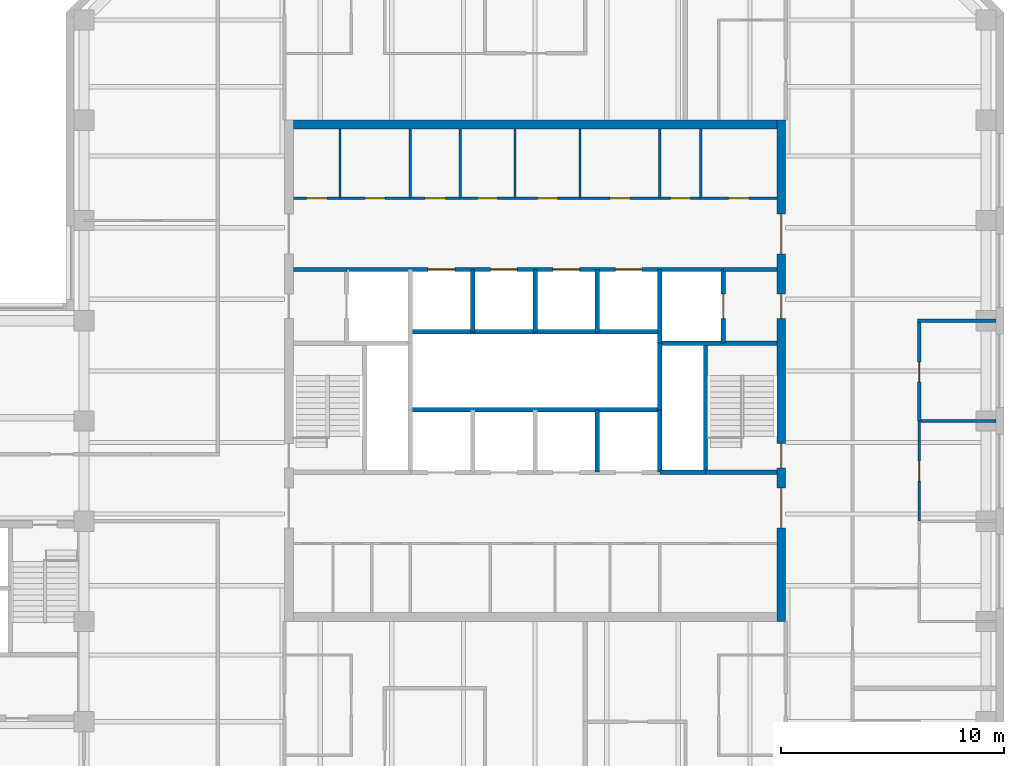
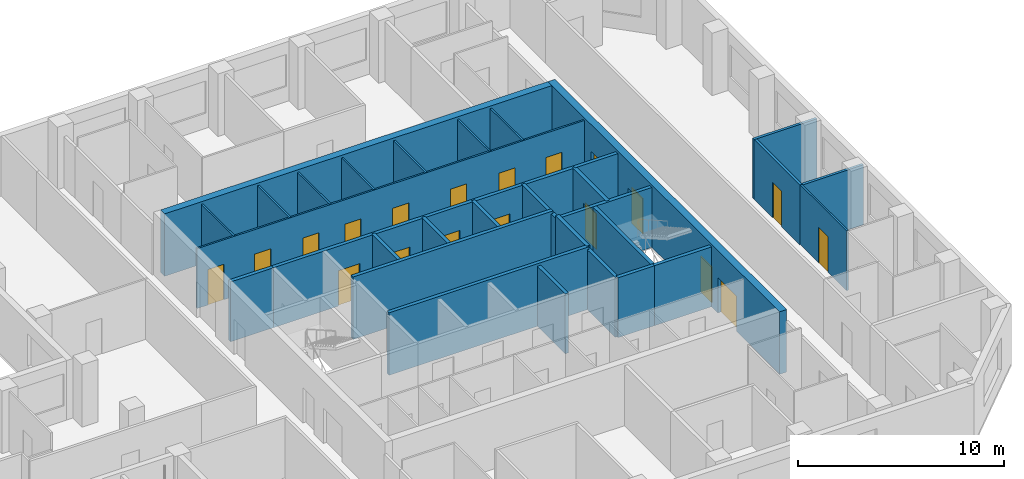
# One storey, part 6 of 9: 31 walls, 19 doors, 19 openings.
"""IFC4 building model written with IfcOpenShell, lengths in metres."""

from ifc_helpers import new_model, si_unit, direction, frame, frame_2d, origin, place, context, subcontext, project, spatial, rectangle, extrude, material, layer, layer_set, type_object, element, fill, save


model = new_model("IFC4")

# Units and contexts
model_context = context("Model", 3, precision=1e-05, world=origin(), true_north=direction((0.0, 1.0)))
body_context = subcontext(model_context, "Body", "Model", "MODEL_VIEW")
ifc_project = project(units=[si_unit("LENGTHUNIT", "METRE"), si_unit("AREAUNIT", "SQUARE_METRE"), si_unit("VOLUMEUNIT", "CUBIC_METRE"), si_unit("PLANEANGLEUNIT", "RADIAN"), si_unit("MASSUNIT", "GRAM", prefix="KILO")], contexts=[model_context])

# Site, building, storey
site_placement = place(None, origin())
site = spatial("IfcSite", under=ifc_project, at=site_placement, CompositionType="ELEMENT")
building_placement = place(site_placement, origin())
building = spatial("IfcBuilding", under=site, at=building_placement, Name="Quoin Convention Tower", CompositionType="ELEMENT")
storey_placement = place(building_placement, frame((0.0, 0.0, 166.199951171875)))
storey = spatial("IfcBuildingStorey", under=building, at=storey_placement, Name="L43", CompositionType="ELEMENT", Elevation=166.199951171875)

# Walls
ifc_material_1 = material(Name="Plasterboard")
ifc_layer_1 = layer(ifc_material_1, 0.012451171875, Name="Finish")
ifc_material_2 = material(Name="Steel stud framing", Category="steel")
ifc_layer_2 = layer(ifc_material_2, 0.125, Name="Structure")
ifc_layer_3 = layer(ifc_material_1, 0.012451171875, Name="Finish")
ifc_layer_set_1 = layer_set([ifc_layer_1, ifc_layer_2, ifc_layer_3], Name="Steel stud framing")
wall_type_1 = type_object("IfcWallType", Name="Acoustic partition 150", PredefinedType="PARTITIONING", material=ifc_layer_set_1)
wall_1_placement = place(storey_placement, frame((73.574951171875, 58.5, 0.0), z_axis=(0.0, 0.0, 1.0), x_axis=(1.0, 0.0, 0.0)))
element("IfcWall", 1, at=wall_1_placement, inside=storey, type_object=wall_type_1, Name="pw-L43-022", PredefinedType="PARTITIONING", context=body_context, shape_type="SweptSolid", body=[
    extrude(rectangle(XDim=3.375, YDim=0.14990234375, at=frame_2d((1.6875, 0.0))), origin(), (0.0, 0.0, 1.0), 3.550048828125),
])
wall_2_placement = place(storey_placement, frame((73.425048828125, 63.0, 0.0), z_axis=(0.0, 0.0, 1.0), x_axis=(1.0, 0.0, 0.0)))
element("IfcWall", 2, at=wall_2_placement, inside=storey, type_object=wall_type_1, Name="pw-L43-025", PredefinedType="PARTITIONING", context=body_context, shape_type="SweptSolid", body=[
    extrude(rectangle(XDim=3.52490234375, YDim=0.14990234375, at=frame_2d((1.762451171875, 0.0))), origin(), (0.0, 0.0, 1.0), 3.550048828125),
])

# Wall, opening, door
wall_3_placement = place(storey_placement, frame((73.5, 58.5, 0.0), z_axis=(0.0, 0.0, 1.0), x_axis=(0.0, 1.0, 0.0)))
wall_3 = element("IfcWall", 3, at=wall_3_placement, inside=storey, type_object=wall_type_1, Name="pw-L43-070", PredefinedType="PARTITIONING", context=body_context, shape_type="SweptSolid", body=[
    extrude(rectangle(XDim=4.425048828125, YDim=0.14990234375, at=frame_2d((2.21240234375, 0.0))), origin(), (0.0, 0.0, 1.0), 3.550048828125),
])
opening_1_placement = place(wall_3_placement, frame((1.75, 0.0, 0.0)))
opening_1 = element("IfcOpeningElement", 4, at=opening_1_placement, cuts=wall_3, Name="Opening DOH3-19", PredefinedType="OPENING", context=body_context, shape_type="SweptSolid", body=[
    extrude(rectangle(XDim=0.89990234375, YDim=2.10009765625, at=frame_2d((0.449951171875, 1.050048828125))), frame((0.0, 0.0849609375, 0.0), z_axis=(0.0, -1.0, 0.0), x_axis=(1.0, 0.0, 0.0)), (0.0, 0.0, 1.0), 0.169921875),
])
ifc_material_3 = material(Name="Steel door leaf", Category="steel")
door_type_1 = type_object("IfcDoorType", Name="Office door 900 x 2100", OperationType="SINGLE_SWING_RIGHT", PredefinedType="DOOR", material=ifc_material_3)
door_1_placement = place(opening_1_placement, origin())
door_1 = element("IfcDoor", 5, at=door_1_placement, inside=storey, type_object=door_type_1, Name="dr-L43-28", OperationType="SINGLE_SWING_RIGHT", OverallHeight=2.10009765625, OverallWidth=0.89990234375, PredefinedType="DOOR", context=body_context, shape_type="SweptSolid", body=[
    extrude(rectangle(XDim=0.89990234375, YDim=2.10009765625, at=frame_2d((0.449951171875, 1.050048828125))), frame((0.0, 0.02490234375, 0.0), z_axis=(0.0, -1.0, 0.0), x_axis=(1.0, 0.0, 0.0)), (0.0, 0.0, 1.0), 0.050048828125),
])
fill(opening_1, door_1)

# Wall, openings, doors
ifc_layer_4 = layer(ifc_material_1, 0.012451171875, Name="Finish")
ifc_layer_5 = layer(ifc_material_2, 0.074951171875, Name="Structure")
ifc_layer_6 = layer(ifc_material_1, 0.012451171875, Name="Finish")
ifc_layer_set_2 = layer_set([ifc_layer_4, ifc_layer_5, ifc_layer_6], Name="Steel stud framing")
wall_type_2 = type_object("IfcWallType", Name="Core partition wall", PredefinedType="PARTITIONING", material=ifc_layer_set_2)
wall_4_placement = place(storey_placement, frame((45.39990234375, 68.5, 0.0), z_axis=(0.0, 0.0, 1.0), x_axis=(1.0, 0.0, 0.0)))
wall_4 = element("IfcWall", 6, at=wall_4_placement, inside=storey, type_object=wall_type_2, Name="cr-C1-L43-h19000_400", PredefinedType="PARTITIONING", context=body_context, shape_type="SweptSolid", body=[
    extrude(rectangle(XDim=21.7001953125, YDim=0.10009765625, at=frame_2d((10.85009765625, 0.0))), origin(), (0.0, 0.0, 1.0), 3.550048828125),
])
opening_2_placement = place(wall_4_placement, frame((19.543701171875, 0.0, 0.0)))
opening_2 = element("IfcOpeningElement", 7, at=opening_2_placement, cuts=wall_4, Name="Opening DCV3-14", PredefinedType="OPENING", context=body_context, shape_type="SweptSolid", body=[
    extrude(rectangle(XDim=0.89990234375, YDim=2.10009765625, at=frame_2d((0.449951171875, 1.050048828125))), frame((0.0, 0.06005859375, 0.0), z_axis=(0.0, -1.0, 0.0), x_axis=(1.0, 0.0, 0.0)), (0.0, 0.0, 1.0), 0.1201171875),
])
opening_3_placement = place(wall_4_placement, frame((16.918701171875, 0.0, 0.0)))
opening_3 = element("IfcOpeningElement", 8, at=opening_3_placement, cuts=wall_4, Name="Opening DCV3-13", PredefinedType="OPENING", context=body_context, shape_type="SweptSolid", body=[
    extrude(rectangle(XDim=0.89990234375, YDim=2.10009765625, at=frame_2d((0.449951171875, 1.050048828125))), frame((0.0, 0.06005859375, 0.0), z_axis=(0.0, -1.0, 0.0), x_axis=(1.0, 0.0, 0.0)), (0.0, 0.0, 1.0), 0.1201171875),
])
opening_4_placement = place(wall_4_placement, frame((0.60009765625, 0.0, 0.0)))
opening_4 = element("IfcOpeningElement", 9, at=opening_4_placement, cuts=wall_4, Name="Opening DCV3-05", PredefinedType="OPENING", context=body_context, shape_type="SweptSolid", body=[
    extrude(rectangle(XDim=0.89990234375, YDim=2.10009765625, at=frame_2d((0.449951171875, 1.050048828125))), frame((0.0, 0.06005859375, 0.0), z_axis=(0.0, -1.0, 0.0), x_axis=(1.0, 0.0, 0.0)), (0.0, 0.0, 1.0), 0.1201171875),
])
opening_5_placement = place(wall_4_placement, frame((3.22509765625, 0.0, 0.0)))
opening_5 = element("IfcOpeningElement", 10, at=opening_5_placement, cuts=wall_4, Name="Opening DCV3-06", PredefinedType="OPENING", context=body_context, shape_type="SweptSolid", body=[
    extrude(rectangle(XDim=0.89990234375, YDim=2.10009765625, at=frame_2d((0.449951171875, 1.050048828125))), frame((0.0, 0.06005859375, 0.0), z_axis=(0.0, -1.0, 0.0), x_axis=(1.0, 0.0, 0.0)), (0.0, 0.0, 1.0), 0.1201171875),
])
opening_6_placement = place(wall_4_placement, frame((14.2080078125, 0.0, 0.0)))
opening_6 = element("IfcOpeningElement", 11, at=opening_6_placement, cuts=wall_4, Name="Opening DCV3-12", PredefinedType="OPENING", context=body_context, shape_type="SweptSolid", body=[
    extrude(rectangle(XDim=0.89990234375, YDim=2.10009765625, at=frame_2d((0.449951171875, 1.050048828125))), frame((0.0, 0.06005859375, 0.0), z_axis=(0.0, -1.0, 0.0), x_axis=(1.0, 0.0, 0.0)), (0.0, 0.0, 1.0), 0.1201171875),
])
opening_7_placement = place(wall_4_placement, frame((10.9599609375, 0.0, 0.0)))
opening_7 = element("IfcOpeningElement", 12, at=opening_7_placement, cuts=wall_4, Name="Opening DCV3-10", PredefinedType="OPENING", context=body_context, shape_type="SweptSolid", body=[
    extrude(rectangle(XDim=0.89990234375, YDim=2.10009765625, at=frame_2d((0.449951171875, 1.050048828125))), frame((0.0, 0.06005859375, 0.0), z_axis=(0.0, -1.0, 0.0), x_axis=(1.0, 0.0, 0.0)), (0.0, 0.0, 1.0), 0.1201171875),
])
opening_8_placement = place(wall_4_placement, frame((8.27197265625, 0.0, 0.0)))
opening_8 = element("IfcOpeningElement", 13, at=opening_8_placement, cuts=wall_4, Name="Opening DCV3-09", PredefinedType="OPENING", context=body_context, shape_type="SweptSolid", body=[
    extrude(rectangle(XDim=0.89990234375, YDim=2.10009765625, at=frame_2d((0.449951171875, 1.050048828125))), frame((0.0, 0.06005859375, 0.0), z_axis=(0.0, -1.0, 0.0), x_axis=(1.0, 0.0, 0.0)), (0.0, 0.0, 1.0), 0.1201171875),
])
opening_9_placement = place(wall_4_placement, frame((5.919921875, 0.0, 0.0)))
opening_9 = element("IfcOpeningElement", 14, at=opening_9_placement, cuts=wall_4, Name="Opening DCV3-07", PredefinedType="OPENING", context=body_context, shape_type="SweptSolid", body=[
    extrude(rectangle(XDim=0.89990234375, YDim=2.10009765625, at=frame_2d((0.449951171875, 1.050048828125))), frame((0.0, 0.06005859375, 0.0), z_axis=(0.0, -1.0, 0.0), x_axis=(1.0, 0.0, 0.0)), (0.0, 0.0, 1.0), 0.1201171875),
])
door_type_2 = type_object("IfcDoorType", Name="Core room door 900 x 2100", OperationType="SINGLE_SWING_LEFT", PredefinedType="DOOR", material=ifc_material_3)
door_2_placement = place(opening_2_placement, origin())
door_2 = element("IfcDoor", 15, at=door_2_placement, inside=storey, type_object=door_type_2, Name="cd-C1-L43-CNE0-lobB-CD4307", OperationType="SINGLE_SWING_LEFT", OverallHeight=2.10009765625, OverallWidth=0.89990234375, PredefinedType="DOOR", context=body_context, shape_type="SweptSolid", body=[
    extrude(rectangle(XDim=0.89990234375, YDim=2.10009765625, at=frame_2d((0.449951171875, 1.050048828125))), frame((0.0, 0.02490234375, 0.0), z_axis=(0.0, -1.0, 0.0), x_axis=(1.0, 0.0, 0.0)), (0.0, 0.0, 1.0), 0.050048828125),
])
fill(opening_2, door_2)
door_3_placement = place(opening_3_placement, origin())
door_3 = element("IfcDoor", 16, at=door_3_placement, inside=storey, type_object=door_type_2, Name="cd-C1-L43-CNE1-lobB-CD4308", OperationType="SINGLE_SWING_RIGHT", OverallHeight=2.10009765625, OverallWidth=0.89990234375, PredefinedType="DOOR", context=body_context, shape_type="SweptSolid", body=[
    extrude(rectangle(XDim=0.89990234375, YDim=2.10009765625, at=frame_2d((0.449951171875, 1.050048828125))), frame((0.0, 0.02490234375, 0.0), z_axis=(0.0, -1.0, 0.0), x_axis=(1.0, 0.0, 0.0)), (0.0, 0.0, 1.0), 0.050048828125),
])
fill(opening_3, door_3)
door_4_placement = place(opening_4_placement, origin())
door_4 = element("IfcDoor", 17, at=door_4_placement, inside=storey, type_object=door_type_2, Name="cd-C1-L43-CNW0-lobB-CD4309", OperationType="SINGLE_SWING_RIGHT", OverallHeight=2.10009765625, OverallWidth=0.89990234375, PredefinedType="DOOR", context=body_context, shape_type="SweptSolid", body=[
    extrude(rectangle(XDim=0.89990234375, YDim=2.10009765625, at=frame_2d((0.449951171875, 1.050048828125))), frame((0.0, 0.02490234375, 0.0), z_axis=(0.0, -1.0, 0.0), x_axis=(1.0, 0.0, 0.0)), (0.0, 0.0, 1.0), 0.050048828125),
])
fill(opening_4, door_4)
door_5_placement = place(opening_5_placement, origin())
door_5 = element("IfcDoor", 18, at=door_5_placement, inside=storey, type_object=door_type_2, Name="cd-C1-L43-CNW1-lobB-CD4310", OperationType="SINGLE_SWING_RIGHT", OverallHeight=2.10009765625, OverallWidth=0.89990234375, PredefinedType="DOOR", context=body_context, shape_type="SweptSolid", body=[
    extrude(rectangle(XDim=0.89990234375, YDim=2.10009765625, at=frame_2d((0.449951171875, 1.050048828125))), frame((0.0, 0.02490234375, 0.0), z_axis=(0.0, -1.0, 0.0), x_axis=(1.0, 0.0, 0.0)), (0.0, 0.0, 1.0), 0.050048828125),
])
fill(opening_5, door_5)
door_6_placement = place(opening_6_placement, origin())
door_6 = element("IfcDoor", 19, at=door_6_placement, inside=storey, type_object=door_type_2, Name="cd-C1-L43-F40-lobB-CD4319", OperationType="SINGLE_SWING_RIGHT", OverallHeight=2.10009765625, OverallWidth=0.89990234375, PredefinedType="DOOR", context=body_context, shape_type="SweptSolid", body=[
    extrude(rectangle(XDim=0.89990234375, YDim=2.10009765625, at=frame_2d((0.449951171875, 1.050048828125))), frame((0.0, 0.02490234375, 0.0), z_axis=(0.0, -1.0, 0.0), x_axis=(1.0, 0.0, 0.0)), (0.0, 0.0, 1.0), 0.050048828125),
])
fill(opening_6, door_6)
door_7_placement = place(opening_7_placement, origin())
door_7 = element("IfcDoor", 20, at=door_7_placement, inside=storey, type_object=door_type_2, Name="cd-C1-L43-F41-lobB-CD4320", OperationType="SINGLE_SWING_RIGHT", OverallHeight=2.10009765625, OverallWidth=0.89990234375, PredefinedType="DOOR", context=body_context, shape_type="SweptSolid", body=[
    extrude(rectangle(XDim=0.89990234375, YDim=2.10009765625, at=frame_2d((0.449951171875, 1.050048828125))), frame((0.0, 0.02490234375, 0.0), z_axis=(0.0, -1.0, 0.0), x_axis=(1.0, 0.0, 0.0)), (0.0, 0.0, 1.0), 0.050048828125),
])
fill(opening_7, door_7)
door_8_placement = place(opening_8_placement, origin())
door_8 = element("IfcDoor", 21, at=door_8_placement, inside=storey, type_object=door_type_2, Name="cd-C1-L43-F42-lobB-CD4321", OperationType="SINGLE_SWING_RIGHT", OverallHeight=2.10009765625, OverallWidth=0.89990234375, PredefinedType="DOOR", context=body_context, shape_type="SweptSolid", body=[
    extrude(rectangle(XDim=0.89990234375, YDim=2.10009765625, at=frame_2d((0.449951171875, 1.050048828125))), frame((0.0, 0.02490234375, 0.0), z_axis=(0.0, -1.0, 0.0), x_axis=(1.0, 0.0, 0.0)), (0.0, 0.0, 1.0), 0.050048828125),
])
fill(opening_8, door_8)
door_9_placement = place(opening_9_placement, origin())
door_9 = element("IfcDoor", 22, at=door_9_placement, inside=storey, type_object=door_type_2, Name="cd-C1-L43-F43-lobB-CD4322", OperationType="SINGLE_SWING_RIGHT", OverallHeight=2.10009765625, OverallWidth=0.89990234375, PredefinedType="DOOR", context=body_context, shape_type="SweptSolid", body=[
    extrude(rectangle(XDim=0.89990234375, YDim=2.10009765625, at=frame_2d((0.449951171875, 1.050048828125))), frame((0.0, 0.02490234375, 0.0), z_axis=(0.0, -1.0, 0.0), x_axis=(1.0, 0.0, 0.0)), (0.0, 0.0, 1.0), 0.050048828125),
])
fill(opening_9, door_9)

# Walls
for number, where, z_axis, x_axis, name in (
    (23, (47.5, 68.5, 0.0), (0.0, 0.0, 1.0), (0.0, 1.0, 0.0), "cr-C1-L43-v2500_19000"),
    (24, (50.64990234375, 68.5, 0.0), (0.0, 0.0, 1.0), (0.0, 1.0, 0.0), "cr-C1-L43-v5650_19000"),
    (25, (52.889892578125, 68.5, 0.0), (0.0, 0.0, 1.0), (0.0, 1.0, 0.0), "cr-C1-L43-v7890_19000"),
    (26, (55.35400390625, 68.5, 0.0), (0.0, 0.0, 1.0), (0.0, 1.0, 0.0), "cr-C1-L43-v10354_19000"),
    (27, (58.26611328125, 68.5, 0.0), (0.0, 0.0, 1.0), (0.0, 1.0, 0.0), "cr-C1-L43-v13266_19000"),
    (28, (61.85009765625, 68.5, 0.0), (0.0, 0.0, 1.0), (0.0, 1.0, 0.0), "cr-C1-L43-v16850_19000"),
    (29, (63.6875, 68.5, 0.0), (0.0, 0.0, 1.0), (0.0, 1.0, 0.0), "cr-C1-L43-v18688_19000"),
):
    element("IfcWall", number, at=place(storey_placement, frame(where, z_axis=z_axis, x_axis=x_axis)), inside=storey, type_object=wall_type_2, Name=name, PredefinedType="PARTITIONING", context=body_context, shape_type="SweptSolid", body=[
        extrude(rectangle(XDim=3.10009765625, YDim=0.10009765625, at=frame_2d((1.550048828125, 0.0))), origin(), (0.0, 0.0, 1.0), 3.550048828125),
    ])
ifc_material_4 = material(Name="Concrete C50", Category="concrete")
ifc_layer_7 = layer(ifc_material_4, 0.199951171875)
ifc_layer_set_3 = layer_set([ifc_layer_7], Name="Concrete C50")
wall_type_3 = type_object("IfcWallType", Name="Core shaft wall", PredefinedType="SOLIDWALL", material=ifc_layer_set_3)
wall_5_placement = place(storey_placement, frame((61.85009765625, 56.199951171875, 0.0), z_axis=(0.0, 0.0, 1.0), x_axis=(1.0, 0.0, 0.0)))
element("IfcWall", 30, at=wall_5_placement, inside=storey, type_object=wall_type_3, Name="cr-C1-L43-h6700_16850", PredefinedType="SOLIDWALL", context=body_context, shape_type="SweptSolid", body=[
    extrude(rectangle(XDim=2.0498046875, YDim=0.199951171875, at=frame_2d((1.02490234375, 0.0))), origin(), (0.0, 0.0, 1.0), 3.550048828125),
])
wall_6_placement = place(storey_placement, frame((63.89990234375, 56.199951171875, 0.0), z_axis=(0.0, 0.0, 1.0), x_axis=(1.0, 0.0, 0.0)))
element("IfcWall", 31, at=wall_6_placement, inside=storey, type_object=wall_type_3, Name="cr-C1-L43-h6700_18900", PredefinedType="SOLIDWALL", context=body_context, shape_type="SweptSolid", body=[
    extrude(rectangle(XDim=3.2001953125, YDim=0.199951171875, at=frame_2d((1.60009765625, 0.0))), origin(), (0.0, 0.0, 1.0), 3.550048828125),
])
wall_7_placement = place(storey_placement, frame((61.85009765625, 62.0, 0.0), z_axis=(0.0, 0.0, 1.0), x_axis=(1.0, 0.0, 0.0)))
element("IfcWall", 32, at=wall_7_placement, inside=storey, type_object=wall_type_3, Name="cr-C1-L43-h12500_16850", PredefinedType="SOLIDWALL", context=body_context, shape_type="SweptSolid", body=[
    extrude(rectangle(XDim=5.25, YDim=0.199951171875, at=frame_2d((2.625, 0.0))), origin(), (0.0, 0.0, 1.0), 3.550048828125),
])
for number, where, z_axis, x_axis, name in (
    (33, (45.39990234375, 65.300048828125, 0.0), (0.0, 0.0, 1.0), (1.0, 0.0, 0.0), "cr-C1-L43-h15800_400"),
    (34, (64.699951171875, 65.300048828125, 0.0), (0.0, 0.0, 1.0), (1.0, 0.0, 0.0), "cr-C1-L43-h15800_19700"),
):
    element("IfcWall", number, at=place(storey_placement, frame(where, z_axis=z_axis, x_axis=x_axis)), inside=storey, type_object=wall_type_3, Name=name, PredefinedType="SOLIDWALL", context=body_context, shape_type="SweptSolid", body=[
        extrude(rectangle(XDim=2.400146484375, YDim=0.199951171875, at=frame_2d((1.2001953125, 0.0))), origin(), (0.0, 0.0, 1.0), 3.550048828125),
    ])

# Wall, openings, doors
wall_8_placement = place(storey_placement, frame((47.800048828125, 65.300048828125, 0.0), z_axis=(0.0, 0.0, 1.0), x_axis=(1.0, 0.0, 0.0)))
wall_8 = element("IfcWall", 35, at=wall_8_placement, inside=storey, type_object=wall_type_3, Name="cr-C1-L43-h15800_2800", PredefinedType="SOLIDWALL", context=body_context, shape_type="SweptSolid", body=[
    extrude(rectangle(XDim=16.89990234375, YDim=0.199951171875, at=frame_2d((8.449951171875, 0.0))), origin(), (0.0, 0.0, 1.0), 3.550048828125),
])
opening_10_placement = place(wall_8_placement, frame((3.64990234375, 0.0, 0.0)))
opening_10 = element("IfcOpeningElement", 36, at=opening_10_placement, cuts=wall_8, Name="Opening LDH5", PredefinedType="OPENING", context=body_context, shape_type="SweptSolid", body=[
    extrude(rectangle(XDim=1.199951171875, YDim=2.10009765625, at=frame_2d((0.60009765625, 1.050048828125))), frame((0.0, 0.10986328125, 0.0), z_axis=(0.0, -1.0, 0.0), x_axis=(1.0, 0.0, 0.0)), (0.0, 0.0, 1.0), 0.219970703125),
])
opening_11_placement = place(wall_8_placement, frame((6.449951171875, 0.0, 0.0)))
opening_11 = element("IfcOpeningElement", 37, at=opening_11_placement, cuts=wall_8, Name="Opening LDH6", PredefinedType="OPENING", context=body_context, shape_type="SweptSolid", body=[
    extrude(rectangle(XDim=1.199951171875, YDim=2.10009765625, at=frame_2d((0.60009765625, 1.050048828125))), frame((0.0, 0.10986328125, 0.0), z_axis=(0.0, -1.0, 0.0), x_axis=(1.0, 0.0, 0.0)), (0.0, 0.0, 1.0), 0.219970703125),
])
opening_12_placement = place(wall_8_placement, frame((9.25, 0.0, 0.0)))
opening_12 = element("IfcOpeningElement", 38, at=opening_12_placement, cuts=wall_8, Name="Opening LDH7", PredefinedType="OPENING", context=body_context, shape_type="SweptSolid", body=[
    extrude(rectangle(XDim=1.199951171875, YDim=2.10009765625, at=frame_2d((0.60009765625, 1.050048828125))), frame((0.0, 0.10986328125, 0.0), z_axis=(0.0, -1.0, 0.0), x_axis=(1.0, 0.0, 0.0)), (0.0, 0.0, 1.0), 0.219970703125),
])
opening_13_placement = place(wall_8_placement, frame((12.050048828125, 0.0, 0.0)))
opening_13 = element("IfcOpeningElement", 39, at=opening_13_placement, cuts=wall_8, Name="Opening LDH8", PredefinedType="OPENING", context=body_context, shape_type="SweptSolid", body=[
    extrude(rectangle(XDim=1.199951171875, YDim=2.10009765625, at=frame_2d((0.60009765625, 1.050048828125))), frame((0.0, 0.10986328125, 0.0), z_axis=(0.0, -1.0, 0.0), x_axis=(1.0, 0.0, 0.0)), (0.0, 0.0, 1.0), 0.219970703125),
])
door_type_3 = type_object("IfcDoorType", Name="Lift landing door 1200 x 2100", OperationType="DOUBLE_DOOR_SLIDING", PredefinedType="DOOR", material=ifc_material_3)
door_10_placement = place(opening_10_placement, origin())
door_10 = element("IfcDoor", 40, at=door_10_placement, inside=storey, type_object=door_type_3, Name="cd-C1-L43-R30-lobB-LDH5", OperationType="DOUBLE_DOOR_SLIDING", OverallHeight=2.10009765625, OverallWidth=1.199951171875, PredefinedType="DOOR", context=body_context, shape_type="SweptSolid", body=[
    extrude(rectangle(XDim=1.199951171875, YDim=2.10009765625, at=frame_2d((0.60009765625, 1.050048828125))), frame((0.0, 0.02490234375, 0.0), z_axis=(0.0, -1.0, 0.0), x_axis=(1.0, 0.0, 0.0)), (0.0, 0.0, 1.0), 0.050048828125),
])
fill(opening_10, door_10)
door_11_placement = place(opening_11_placement, origin())
door_11 = element("IfcDoor", 41, at=door_11_placement, inside=storey, type_object=door_type_3, Name="cd-C1-L43-R31-lobB-LDH6", OperationType="DOUBLE_DOOR_SLIDING", OverallHeight=2.10009765625, OverallWidth=1.199951171875, PredefinedType="DOOR", context=body_context, shape_type="SweptSolid", body=[
    extrude(rectangle(XDim=1.199951171875, YDim=2.10009765625, at=frame_2d((0.60009765625, 1.050048828125))), frame((0.0, 0.02490234375, 0.0), z_axis=(0.0, -1.0, 0.0), x_axis=(1.0, 0.0, 0.0)), (0.0, 0.0, 1.0), 0.050048828125),
])
fill(opening_11, door_11)
door_12_placement = place(opening_12_placement, origin())
door_12 = element("IfcDoor", 42, at=door_12_placement, inside=storey, type_object=door_type_3, Name="cd-C1-L43-R32-lobB-LDH7", OperationType="DOUBLE_DOOR_SLIDING", OverallHeight=2.10009765625, OverallWidth=1.199951171875, PredefinedType="DOOR", context=body_context, shape_type="SweptSolid", body=[
    extrude(rectangle(XDim=1.199951171875, YDim=2.10009765625, at=frame_2d((0.60009765625, 1.050048828125))), frame((0.0, 0.02490234375, 0.0), z_axis=(0.0, -1.0, 0.0), x_axis=(1.0, 0.0, 0.0)), (0.0, 0.0, 1.0), 0.050048828125),
])
fill(opening_12, door_12)
door_13_placement = place(opening_13_placement, origin())
door_13 = element("IfcDoor", 43, at=door_13_placement, inside=storey, type_object=door_type_3, Name="cd-C1-L43-R33-lobB-LDH8", OperationType="DOUBLE_DOOR_SLIDING", OverallHeight=2.10009765625, OverallWidth=1.199951171875, PredefinedType="DOOR", context=body_context, shape_type="SweptSolid", body=[
    extrude(rectangle(XDim=1.199951171875, YDim=2.10009765625, at=frame_2d((0.60009765625, 1.050048828125))), frame((0.0, 0.02490234375, 0.0), z_axis=(0.0, -1.0, 0.0), x_axis=(1.0, 0.0, 0.0)), (0.0, 0.0, 1.0), 0.050048828125),
])
fill(opening_13, door_13)

# Walls
for number, where, z_axis, x_axis, name in (
    (44, (53.449951171875, 62.5, 0.0), (0.0, 0.0, 1.0), (0.0, 1.0, 0.0), "cr-C1-L43-v8450_13000"),
    (45, (56.25, 62.5, 0.0), (0.0, 0.0, 1.0), (0.0, 1.0, 0.0), "cr-C1-L43-v11250_13000"),
    (46, (59.050048828125, 56.199951171875, 0.0), (0.0, 0.0, 1.0), (0.0, 1.0, 0.0), "cr-C1-L43-v14050_6700"),
    (47, (59.050048828125, 62.5, 0.0), (0.0, 0.0, 1.0), (0.0, 1.0, 0.0), "cr-C1-L43-v14050_13000"),
    (48, (61.85009765625, 56.199951171875, 0.0), (0.0, 0.0, 1.0), (0.0, 1.0, 0.0), "cr-C1-L43-v16850_6700"),
):
    element("IfcWall", number, at=place(storey_placement, frame(where, z_axis=z_axis, x_axis=x_axis)), inside=storey, type_object=wall_type_3, Name=name, PredefinedType="SOLIDWALL", context=body_context, shape_type="SweptSolid", body=[
        extrude(rectangle(XDim=2.800048828125, YDim=0.199951171875, at=frame_2d((1.39990234375, 0.0))), origin(), (0.0, 0.0, 1.0), 3.550048828125),
    ])
wall_9_placement = place(storey_placement, frame((61.85009765625, 62.0, 0.0), z_axis=(0.0, 0.0, 1.0), x_axis=(0.0, 1.0, 0.0)))
element("IfcWall", 49, at=wall_9_placement, inside=storey, type_object=wall_type_3, Name="cr-C1-L43-v16850_12500", PredefinedType="SOLIDWALL", context=body_context, shape_type="SweptSolid", body=[
    extrude(rectangle(XDim=3.300048828125, YDim=0.199951171875, at=frame_2d((1.64990234375, 0.0))), origin(), (0.0, 0.0, 1.0), 3.550048828125),
])
wall_10_placement = place(storey_placement, frame((63.89990234375, 56.199951171875, 0.0), z_axis=(0.0, 0.0, 1.0), x_axis=(0.0, 1.0, 0.0)))
element("IfcWall", 50, at=wall_10_placement, inside=storey, type_object=wall_type_3, Name="cr-C1-L43-v18900_6700", PredefinedType="SOLIDWALL", context=body_context, shape_type="SweptSolid", body=[
    extrude(rectangle(XDim=5.800048828125, YDim=0.199951171875, at=frame_2d((2.89990234375, 0.0))), origin(), (0.0, 0.0, 1.0), 3.550048828125),
])

# Wall, opening, door
wall_11_placement = place(storey_placement, frame((64.699951171875, 62.0, 0.0), z_axis=(0.0, 0.0, 1.0), x_axis=(0.0, 1.0, 0.0)))
wall_11 = element("IfcWall", 51, at=wall_11_placement, inside=storey, type_object=wall_type_3, Name="cr-C1-L43-v19700_12500", PredefinedType="SOLIDWALL", context=body_context, shape_type="SweptSolid", body=[
    extrude(rectangle(XDim=3.300048828125, YDim=0.199951171875, at=frame_2d((1.64990234375, 0.0))), origin(), (0.0, 0.0, 1.0), 3.550048828125),
])
opening_14_placement = place(wall_11_placement, frame((1.10009765625, 0.0, 0.0)))
opening_14 = element("IfcOpeningElement", 52, at=opening_14_placement, cuts=wall_11, Name="Opening LDFL2", PredefinedType="OPENING", context=body_context, shape_type="SweptSolid", body=[
    extrude(rectangle(XDim=1.10009765625, YDim=2.10009765625, at=frame_2d((0.550048828125, 1.050048828125))), frame((0.0, 0.10986328125, 0.0), z_axis=(0.0, -1.0, 0.0), x_axis=(1.0, 0.0, 0.0)), (0.0, 0.0, 1.0), 0.219970703125),
])
door_type_4 = type_object("IfcDoorType", Name="Lift landing door 1100 x 2100", OperationType="DOUBLE_DOOR_SLIDING", PredefinedType="DOOR", material=ifc_material_3)
door_14_placement = place(opening_14_placement, origin())
door_14 = element("IfcDoor", 53, at=door_14_placement, inside=storey, type_object=door_type_4, Name="cd-C1-L43-FLE-FFE-LDFL2", OperationType="DOUBLE_DOOR_SLIDING", OverallHeight=2.10009765625, OverallWidth=1.10009765625, PredefinedType="DOOR", context=body_context, shape_type="SweptSolid", body=[
    extrude(rectangle(XDim=1.10009765625, YDim=2.10009765625, at=frame_2d((0.550048828125, 1.050048828125))), frame((0.0, 0.02490234375, 0.0), z_axis=(0.0, -1.0, 0.0), x_axis=(1.0, 0.0, 0.0)), (0.0, 0.0, 1.0), 0.050048828125),
])
fill(opening_14, door_14)

# Walls
ifc_layer_8 = layer(ifc_material_4, 0.199951171875)
ifc_layer_set_4 = layer_set([ifc_layer_8], Name="Concrete C50")
wall_type_4 = type_object("IfcWallType", Name="Core shaft wall to the floor level over", PredefinedType="SOLIDWALL", material=ifc_layer_set_4)
for number, where, z_axis, x_axis, name in (
    (54, (50.64990234375, 59.0, 0.0), (0.0, 0.0, 1.0), (1.0, 0.0, 0.0), "cr-C1-L43-h9500_5650"),
    (55, (50.64990234375, 62.5, 0.0), (0.0, 0.0, 1.0), (1.0, 0.0, 0.0), "cr-C1-L43-h13000_5650"),
):
    element("IfcWall", number, at=place(storey_placement, frame(where, z_axis=z_axis, x_axis=x_axis)), inside=storey, type_object=wall_type_4, Name=name, PredefinedType="SOLIDWALL", context=body_context, shape_type="SweptSolid", body=[
        extrude(rectangle(XDim=11.2001953125, YDim=0.199951171875, at=frame_2d((5.60009765625, 0.0))), origin(), (0.0, 0.0, 1.0), 3.699951171875),
    ])
wall_12_placement = place(storey_placement, frame((61.85009765625, 59.0, 0.0), z_axis=(0.0, 0.0, 1.0), x_axis=(0.0, 1.0, 0.0)))
element("IfcWall", 56, at=wall_12_placement, inside=storey, type_object=wall_type_4, Name="cr-C1-L43-v16850_9500", PredefinedType="SOLIDWALL", context=body_context, shape_type="SweptSolid", body=[
    extrude(rectangle(XDim=3.0, YDim=0.199951171875, at=frame_2d((1.5, 0.0))), origin(), (0.0, 0.0, 1.0), 3.699951171875),
])
ifc_layer_9 = layer(ifc_material_4, 0.39990234375)
ifc_layer_set_5 = layer_set([ifc_layer_9], Name="Concrete C50")
wall_type_5 = type_object("IfcWallType", Name="RC CORE WALL 400 C50", PredefinedType="SHEAR", material=ifc_layer_set_5)
wall_13_placement = place(storey_placement, frame((45.39990234375, 71.800048828125, 0.0), z_axis=(0.0, 0.0, 1.0), x_axis=(1.0, 0.0, 0.0)))
element("IfcWall", 57, at=wall_13_placement, inside=storey, type_object=wall_type_5, Name="cwl-C1-L43-N", PredefinedType="SHEAR", context=body_context, shape_type="SweptSolid", body=[
    extrude(rectangle(XDim=21.7001953125, YDim=0.39990234375, at=frame_2d((10.85009765625, 0.0))), origin(), (0.0, 0.0, 1.0), 3.699951171875),
])

# Wall, openings, doors
wall_14_placement = place(storey_placement, frame((67.300048828125, 49.5, 0.0), z_axis=(0.0, 0.0, 1.0), x_axis=(0.0, 1.0, 0.0)))
wall_14 = element("IfcWall", 58, at=wall_14_placement, inside=storey, type_object=wall_type_5, Name="cwl-C1-L43-E", PredefinedType="SHEAR", context=body_context, shape_type="SweptSolid", body=[
    extrude(rectangle(XDim=22.5, YDim=0.39990234375, at=frame_2d((11.25, 0.0))), origin(), (0.0, 0.0, 1.0), 3.699951171875),
])
opening_15_placement = place(wall_14_placement, frame((4.199951171875, 0.0, 0.0)))
opening_15 = element("IfcOpeningElement", 59, at=opening_15_placement, cuts=wall_14, Name="Opening DCV3-38", PredefinedType="OPENING", context=body_context, shape_type="SweptSolid", body=[
    extrude(rectangle(XDim=1.800048828125, YDim=2.10009765625, at=frame_2d((0.89990234375, 1.050048828125))), frame((0.0, 0.2099609375, 0.0), z_axis=(0.0, -1.0, 0.0), x_axis=(1.0, 0.0, 0.0)), (0.0, 0.0, 1.0), 0.419921875),
])
opening_16_placement = place(wall_14_placement, frame((6.89990234375, 0.0, 0.0)))
opening_16 = element("IfcOpeningElement", 60, at=opening_16_placement, cuts=wall_14, Name="Opening SD2", PredefinedType="OPENING", context=body_context, shape_type="SweptSolid", body=[
    extrude(rectangle(XDim=1.10009765625, YDim=2.10009765625, at=frame_2d((0.550048828125, 1.050048828125))), frame((0.0, 0.2099609375, 0.0), z_axis=(0.0, -1.0, 0.0), x_axis=(1.0, 0.0, 0.0)), (0.0, 0.0, 1.0), 0.419921875),
])
opening_17_placement = place(wall_14_placement, frame((13.60009765625, 0.0, 0.0)))
opening_17 = element("IfcOpeningElement", 61, at=opening_17_placement, cuts=wall_14, Name="Opening DCV3-37", PredefinedType="OPENING", context=body_context, shape_type="SweptSolid", body=[
    extrude(rectangle(XDim=1.10009765625, YDim=2.10009765625, at=frame_2d((0.550048828125, 1.050048828125))), frame((0.0, 0.2099609375, 0.0), z_axis=(0.0, -1.0, 0.0), x_axis=(1.0, 0.0, 0.0)), (0.0, 0.0, 1.0), 0.419921875),
])
opening_18_placement = place(wall_14_placement, frame((16.5, 0.0, 0.0)))
opening_18 = element("IfcOpeningElement", 62, at=opening_18_placement, cuts=wall_14, Name="Opening DCV3-38", PredefinedType="OPENING", context=body_context, shape_type="SweptSolid", body=[
    extrude(rectangle(XDim=1.800048828125, YDim=2.10009765625, at=frame_2d((0.89990234375, 1.050048828125))), frame((0.0, 0.2099609375, 0.0), z_axis=(0.0, -1.0, 0.0), x_axis=(1.0, 0.0, 0.0)), (0.0, 0.0, 1.0), 0.419921875),
])
door_type_5 = type_object("IfcDoorType", Name="Fire-fighting lobby door 1100 x 2100", OperationType="SINGLE_SWING_LEFT", PredefinedType="DOOR", material=ifc_material_3)
door_15_placement = place(opening_17_placement, origin())
door_15 = element("IfcDoor", 63, at=door_15_placement, inside=storey, type_object=door_type_5, Name="cd-C1-L43-FFE-E", OperationType="SINGLE_SWING_RIGHT", OverallHeight=2.10009765625, OverallWidth=1.10009765625, PredefinedType="DOOR", context=body_context, shape_type="SweptSolid", body=[
    extrude(rectangle(XDim=1.10009765625, YDim=2.10009765625, at=frame_2d((0.550048828125, 1.050048828125))), frame((0.0, 0.02490234375, 0.0), z_axis=(0.0, -1.0, 0.0), x_axis=(1.0, 0.0, 0.0)), (0.0, 0.0, 1.0), 0.050048828125),
])
fill(opening_17, door_15)
door_type_6 = type_object("IfcDoorType", Name="Lift lobby door 1800 x 2100", OperationType="SINGLE_SWING_LEFT", PredefinedType="DOOR", material=ifc_material_3)
door_16_placement = place(opening_15_placement, origin())
door_16 = element("IfcDoor", 64, at=door_16_placement, inside=storey, type_object=door_type_6, Name="cd-C1-L43-lobA-E", OperationType="SINGLE_SWING_RIGHT", OverallHeight=2.10009765625, OverallWidth=1.800048828125, PredefinedType="DOOR", context=body_context, shape_type="SweptSolid", body=[
    extrude(rectangle(XDim=1.800048828125, YDim=2.10009765625, at=frame_2d((0.89990234375, 1.050048828125))), frame((0.0, 0.02490234375, 0.0), z_axis=(0.0, -1.0, 0.0), x_axis=(1.0, 0.0, 0.0)), (0.0, 0.0, 1.0), 0.050048828125),
])
fill(opening_15, door_16)
door_17_placement = place(opening_18_placement, origin())
door_17 = element("IfcDoor", 65, at=door_17_placement, inside=storey, type_object=door_type_6, Name="cd-C1-L43-lobB-E", OperationType="SINGLE_SWING_RIGHT", OverallHeight=2.10009765625, OverallWidth=1.800048828125, PredefinedType="DOOR", context=body_context, shape_type="SweptSolid", body=[
    extrude(rectangle(XDim=1.800048828125, YDim=2.10009765625, at=frame_2d((0.89990234375, 1.050048828125))), frame((0.0, 0.02490234375, 0.0), z_axis=(0.0, -1.0, 0.0), x_axis=(1.0, 0.0, 0.0)), (0.0, 0.0, 1.0), 0.050048828125),
])
fill(opening_18, door_17)
door_type_7 = type_object("IfcDoorType", Name="Stair door 1100 x 2100", OperationType="SINGLE_SWING_RIGHT", PredefinedType="DOOR", material=ifc_material_3)
door_18_placement = place(opening_16_placement, origin())
door_18 = element("IfcDoor", 66, at=door_18_placement, inside=storey, type_object=door_type_7, Name="cd-C1-L43-STE-E", OperationType="SINGLE_SWING_LEFT", OverallHeight=2.10009765625, OverallWidth=1.10009765625, PredefinedType="DOOR", context=body_context, shape_type="SweptSolid", body=[
    extrude(rectangle(XDim=1.10009765625, YDim=2.10009765625, at=frame_2d((0.550048828125, 1.050048828125))), frame((0.0, 0.02490234375, 0.0), z_axis=(0.0, -1.0, 0.0), x_axis=(1.0, 0.0, 0.0)), (0.0, 0.0, 1.0), 0.050048828125),
])
fill(opening_16, door_18)

# Wall, opening, door
ifc_layer_10 = layer(ifc_material_1, 0.012451171875, Name="Finish")
ifc_layer_11 = layer(ifc_material_2, 0.074951171875, Name="Structure")
ifc_layer_12 = layer(ifc_material_1, 0.012451171875, Name="Finish")
ifc_layer_set_6 = layer_set([ifc_layer_10, ifc_layer_11, ifc_layer_12], Name="Steel stud framing")
wall_type_6 = type_object("IfcWallType", Name="Stud partition 100", PredefinedType="PARTITIONING", material=ifc_layer_set_6)
wall_15_placement = place(storey_placement, frame((73.5, 54.0, 0.0), z_axis=(0.0, 0.0, 1.0), x_axis=(0.0, 1.0, 0.0)))
wall_15 = element("IfcWall", 67, at=wall_15_placement, inside=storey, type_object=wall_type_6, Name="pw-L43-065", PredefinedType="PARTITIONING", context=body_context, shape_type="SweptSolid", body=[
    extrude(rectangle(XDim=4.5, YDim=0.10009765625, at=frame_2d((2.25, 0.0))), origin(), (0.0, 0.0, 1.0), 3.550048828125),
])
opening_19_placement = place(wall_15_placement, frame((1.800048828125, 0.0, 0.0)))
opening_19 = element("IfcOpeningElement", 68, at=opening_19_placement, cuts=wall_15, Name="Opening DOH3-18", PredefinedType="OPENING", context=body_context, shape_type="SweptSolid", body=[
    extrude(rectangle(XDim=0.89990234375, YDim=2.10009765625, at=frame_2d((0.449951171875, 1.050048828125))), frame((0.0, 0.06005859375, 0.0), z_axis=(0.0, -1.0, 0.0), x_axis=(1.0, 0.0, 0.0)), (0.0, 0.0, 1.0), 0.1201171875),
])
door_19_placement = place(opening_19_placement, origin())
door_19 = element("IfcDoor", 69, at=door_19_placement, inside=storey, type_object=door_type_1, Name="dr-L43-26", OperationType="SINGLE_SWING_RIGHT", OverallHeight=2.10009765625, OverallWidth=0.89990234375, PredefinedType="DOOR", context=body_context, shape_type="SweptSolid", body=[
    extrude(rectangle(XDim=0.89990234375, YDim=2.10009765625, at=frame_2d((0.449951171875, 1.050048828125))), frame((0.0, 0.02490234375, 0.0), z_axis=(0.0, -1.0, 0.0), x_axis=(1.0, 0.0, 0.0)), (0.0, 0.0, 1.0), 0.050048828125),
])
fill(opening_19, door_19)

save(model, "model.ifc")
